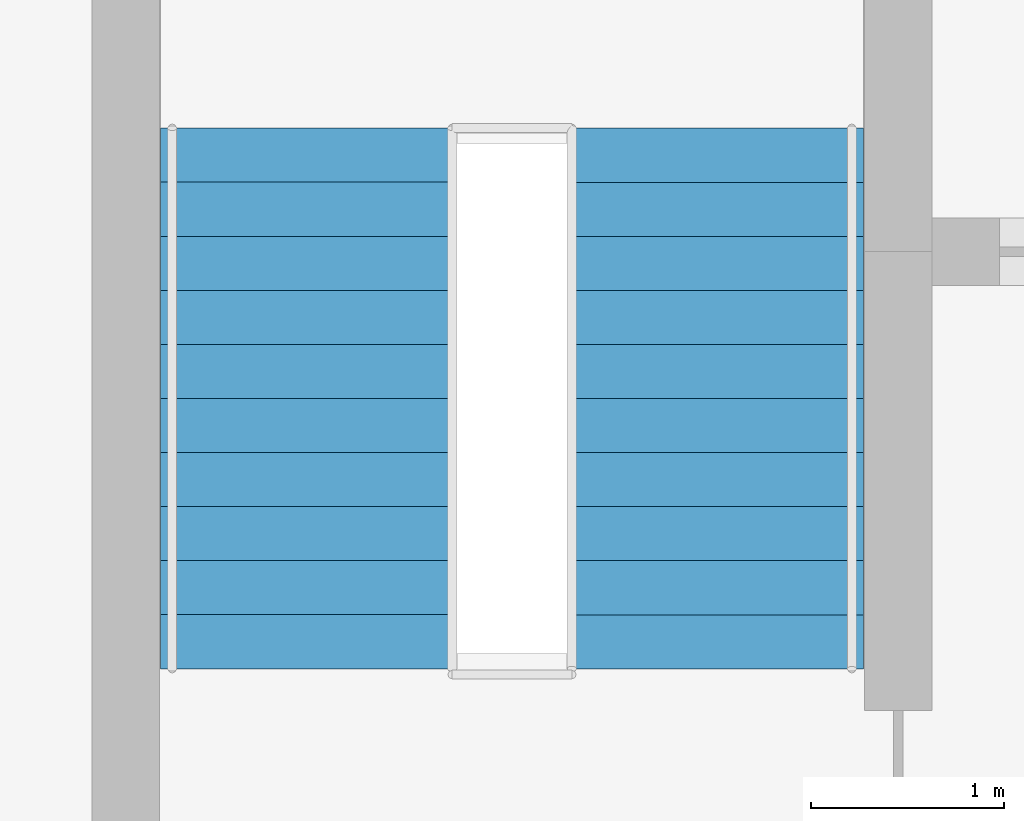
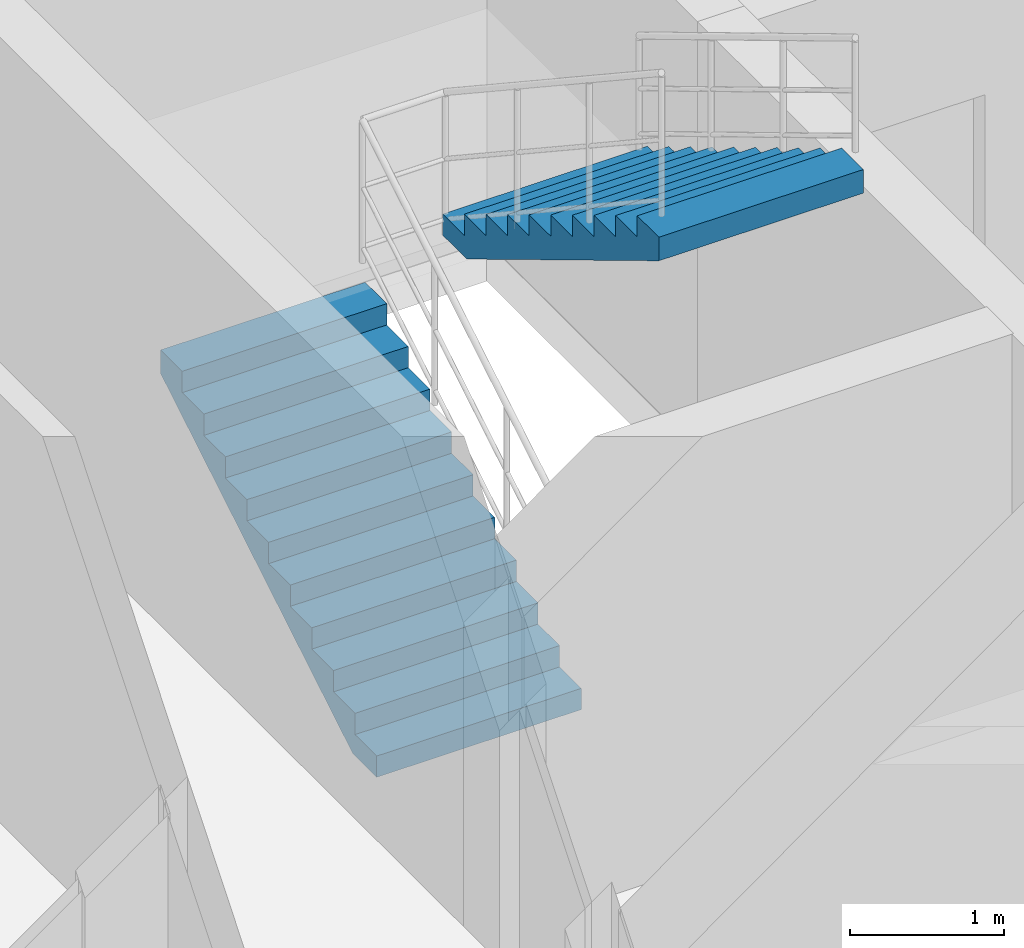
# One storey, part 26 of 27: 2 stair flights, 1 element without a shape of its own.
"""IFC4 building model written with IfcOpenShell, lengths in metres."""

from ifc_helpers import new_model, si_unit, direction, frame, origin, place, context, subcontext, project, spatial, polyline, outline, extrude, material, type_object, element, aggregate, save


model = new_model("IFC4")

# Units and contexts
model_context = context("Model", 3, precision=1e-05, world=origin(), true_north=direction((0.0, 1.0)))
body_context = subcontext(model_context, "Body", "Model", "MODEL_VIEW")
ifc_project = project(units=[si_unit("LENGTHUNIT", "METRE"), si_unit("AREAUNIT", "SQUARE_METRE"), si_unit("VOLUMEUNIT", "CUBIC_METRE"), si_unit("PLANEANGLEUNIT", "RADIAN"), si_unit("MASSUNIT", "GRAM", prefix="KILO")], contexts=[model_context])

# Site, building, storey
site_placement = place(None, origin())
site = spatial("IfcSite", under=ifc_project, at=site_placement, CompositionType="ELEMENT")
building_placement = place(site_placement, origin())
building = spatial("IfcBuilding", under=site, at=building_placement, Name="Keshet Zoharim Tower", CompositionType="ELEMENT")
storey_placement = place(building_placement, frame((0.0, 0.0, 254.699951171875)))
storey = spatial("IfcBuildingStorey", under=building, at=storey_placement, Name="L63", CompositionType="ELEMENT", Elevation=254.699951171875)

# Stair, stair flights
ifc_material = material(Name="Concrete C50/60", Category="concrete")
stair_type = type_object("IfcStairType", Name="STR-EXIT-135", PredefinedType="HALF_TURN_STAIR", material=ifc_material)
stair_placement = place(storey_placement, origin())
stair = element("IfcStair", 1, at=stair_placement, inside=storey, type_object=stair_type, Name="L63 Enclosed Exit Stair ST-02", PredefinedType="HALF_TURN_STAIR")
stair_flight_type = type_object("IfcStairFlightType", Name="FLT-PRE-135", PredefinedType="STRAIGHT", material=ifc_material)
stair_flight_1_placement = place(storey_placement, frame((15.945068359375, 32.840087890625, 0.0), z_axis=(0.0, 0.0, 1.0), x_axis=(0.0, 1.0, 0.0)))
stair_flight_1 = element("IfcStairFlight", 2, at=stair_flight_1_placement, type_object=stair_flight_type, Name="ST-02 flight 1", NumberOfRisers=11, NumberOfTreads=10, PredefinedType="STRAIGHT", RiserHeight=0.168182, TreadLength=0.28, context=body_context, shape_type="SweptSolid", body=[
    extrude(outline(polyline([(0.0, 0.0), (0.0, 0.168212890625), (0.280029296875, 0.168212890625), (0.280029296875, 0.33642578125), (0.56005859375, 0.33642578125), (0.56005859375, 0.504638671875), (0.840087890625, 0.504638671875), (0.840087890625, 0.672607421875), (1.1201171875, 0.672607421875), (1.1201171875, 0.8408203125), (1.39990234375, 0.8408203125), (1.39990234375, 1.009033203125), (1.679931640625, 1.009033203125), (1.679931640625, 1.17724609375), (1.9599609375, 1.17724609375), (1.9599609375, 1.345458984375), (2.239990234375, 1.345458984375), (2.239990234375, 1.513671875), (2.52001953125, 1.513671875), (2.52001953125, 1.681884765625), (2.800048828125, 1.681884765625), (2.800048828125, 1.85009765625), (2.800048828125, 1.495361328125), (0.310546875, 0.0), (0.0, 0.0)])), frame((0.0, 0.76513671875, 0.0), z_axis=(0.0, -1.0, 0.0), x_axis=(1.0, 0.0, 0.0)), (0.0, 0.0, 1.0), 1.530029296875),
])
stair_flight_2_placement = place(storey_placement, frame((18.054931640625, 35.639892578125, 1.85009765625), z_axis=(0.0, 0.0, 1.0), x_axis=(0.0, -1.0, 0.0)))
stair_flight_2 = element("IfcStairFlight", 3, at=stair_flight_2_placement, type_object=stair_flight_type, Name="ST-02 flight 2", NumberOfRisers=11, NumberOfTreads=10, PredefinedType="STRAIGHT", RiserHeight=0.168182, TreadLength=0.28, context=body_context, shape_type="SweptSolid", body=[
    extrude(outline(polyline([(0.0, 0.0), (0.0, 0.168212890625), (0.280029296875, 0.168212890625), (0.280029296875, 0.33642578125), (0.56005859375, 0.33642578125), (0.56005859375, 0.504638671875), (0.840087890625, 0.504638671875), (0.840087890625, 0.672607421875), (1.1201171875, 0.672607421875), (1.1201171875, 0.8408203125), (1.39990234375, 0.8408203125), (1.39990234375, 1.009033203125), (1.679931640625, 1.009033203125), (1.679931640625, 1.17724609375), (1.9599609375, 1.17724609375), (1.9599609375, 1.345458984375), (2.239990234375, 1.345458984375), (2.239990234375, 1.513671875), (2.52001953125, 1.513671875), (2.52001953125, 1.681884765625), (2.800048828125, 1.681884765625), (2.800048828125, 1.85009765625), (2.800048828125, 1.495361328125), (0.310546875, 0.0), (0.0, 0.0)])), frame((0.0, 0.76513671875, 0.0), z_axis=(0.0, -1.0, 0.0), x_axis=(1.0, 0.0, 0.0)), (0.0, 0.0, 1.0), 1.530029296875),
])
aggregate(stair, [stair_flight_1, stair_flight_2])

save(model, "model.ifc")
